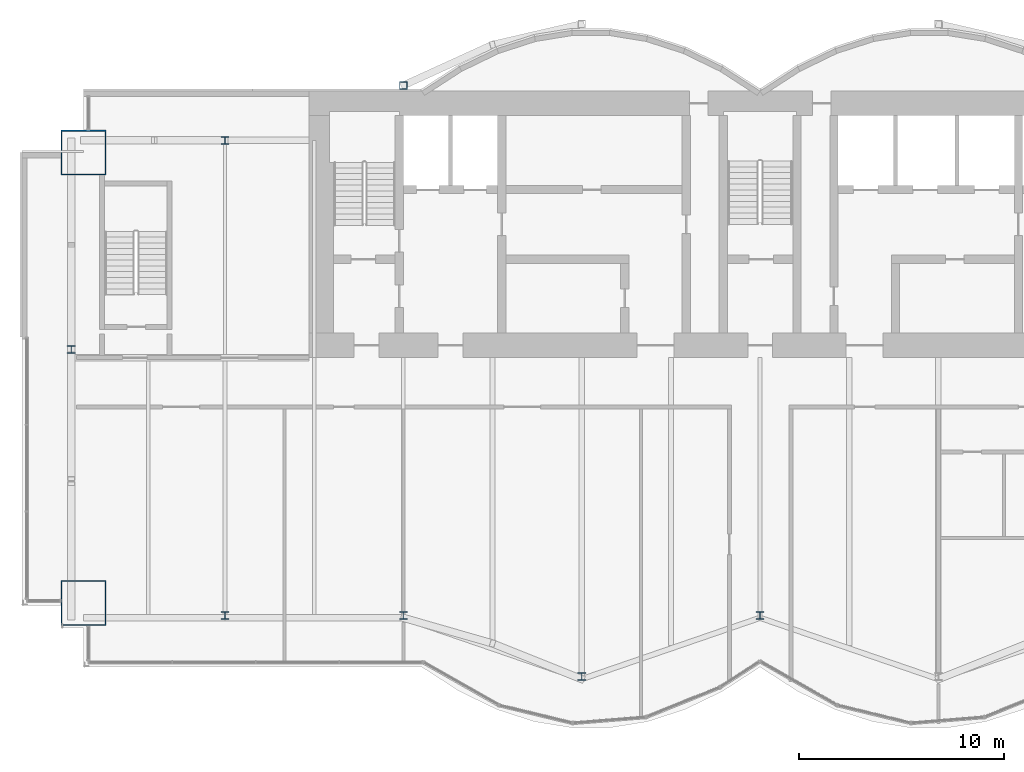
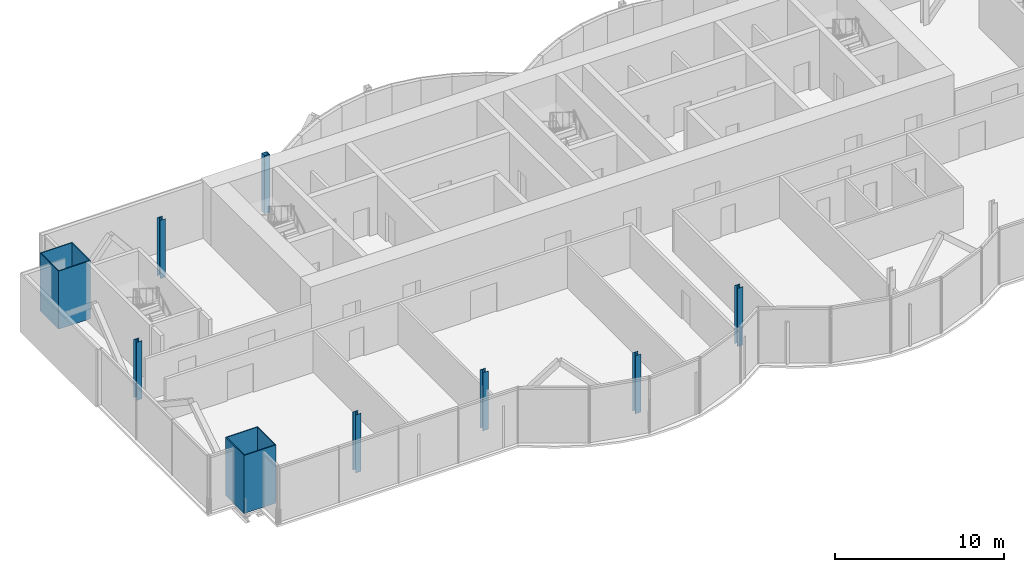
# One storey, part 1 of 19: 9 columns.
"""IFC4 building model written with IfcOpenShell, lengths in metres."""

from ifc_helpers import new_model, si_unit, direction, frame, origin, origin_2d, place, context, subcontext, project, spatial, hollow_rectangle, i_section, extrude, material, material_profile, profile_set, type_object, element, save


model = new_model("IFC4")

# Units and contexts
model_context = context("Model", 3, precision=1e-05, world=origin(), true_north=direction((0.0, 1.0)))
body_context = subcontext(model_context, "Body", "Model", "MODEL_VIEW")
ifc_project = project(units=[si_unit("LENGTHUNIT", "METRE"), si_unit("AREAUNIT", "SQUARE_METRE"), si_unit("VOLUMEUNIT", "CUBIC_METRE"), si_unit("PLANEANGLEUNIT", "RADIAN"), si_unit("MASSUNIT", "GRAM", prefix="KILO")], contexts=[model_context])

# Site, building, storey
site_placement = place(None, origin())
site = spatial("IfcSite", under=ifc_project, at=site_placement, CompositionType="ELEMENT")
building_placement = place(site_placement, origin())
building = spatial("IfcBuilding", under=site, at=building_placement, Name="Bicima Exchange Tower", CompositionType="ELEMENT")
storey_placement = place(building_placement, frame((0.0, 0.0, 279.199951171875)))
storey = spatial("IfcBuildingStorey", under=building, at=storey_placement, Name="L63", CompositionType="ELEMENT", Elevation=279.199951171875)

# Columns
ifc_material_1 = material(Name="Steel ASTM A572 Gr 50", Category="steel")
ifc_material_profile_1 = material_profile(ifc_material_1, hollow_rectangle(XDim=2.199951171875, YDim=2.199951171875, WallThickness=0.06005859375, at=origin_2d()))
ifc_profile_set_1 = profile_set([ifc_material_profile_1], Name="Steel ASTM A572 Gr 50")
column_type_1 = type_object("IfcColumnType", Name="Mega column BOX 2200x2200x60", PredefinedType="COLUMN", material=ifc_profile_set_1)
for number, where, z_axis, x_axis, name in (
    (1, (-33.0, -24.969970703125, 0.0), (0.0, 0.0, 1.0), (1.0, 0.0, 0.0), "Mega column mega-33.0f"),
    (2, (-33.0, -3.0, 0.0), (0.0, 0.0, 1.0), (1.0, 0.0, 0.0), "Mega column mega-33.0r"),
):
    element("IfcColumn", number, at=place(storey_placement, frame(where, z_axis=z_axis, x_axis=x_axis)), inside=storey, type_object=column_type_1, Name=name, PredefinedType="COLUMN", context=body_context, shape_type="SweptSolid", body=[
        extrude(hollow_rectangle(XDim=2.199951171875, YDim=2.199951171875, WallThickness=0.06005859375, at=origin_2d()), origin(), (0.0, 0.0, 1.0), 4.199951171875),
    ])
ifc_material_2 = material(Name="Steel ASTM A992 Gr 50", Category="steel")
ifc_material_profile_2 = material_profile(ifc_material_2, i_section(OverallWidth=0.370849609375, OverallDepth=0.36328125, WebThickness=0.013427734375, FlangeThickness=0.021728515625, at=origin_2d()))
ifc_profile_set_2 = profile_set([ifc_material_profile_2], Name="Steel ASTM A992 Gr 50")
column_type_2 = type_object("IfcColumnType", Name="Perimeter column W14x109", PredefinedType="COLUMN", material=ifc_profile_set_2)
for number, where, z_axis, x_axis, name in (
    (3, (-26.10009765625, -25.570068359375, 0.0), (0.0, 0.0, 1.0), (1.0, 0.0, 0.0), "Perimeter column grav-26.1f"),
    (4, (-26.10009765625, -2.39990234375, 0.0), (0.0, 0.0, 1.0), (1.0, 0.0, 0.0), "Perimeter column grav-26.1r"),
    (5, (-17.39990234375, -25.570068359375, 0.0), (0.0, 0.0, 1.0), (1.0, 0.0, 0.0), "Perimeter column grav-17.4f"),
    (6, (-8.699951171875, -28.56103515625, 0.0), (0.0, 0.0, 1.0), (1.0, 0.0, 0.0), "Perimeter column grav-8.7f"),
    (7, (0.0, -25.570068359375, 0.0), (0.0, 0.0, 1.0), (1.0, 0.0, 0.0), "Perimeter column grav-0.0f"),
    (8, (-33.60009765625, -12.60009765625, 0.0), (0.0, 0.0, 1.0), (1.0, 0.0, 0.0), "End column end-33.6e"),
):
    element("IfcColumn", number, at=place(storey_placement, frame(where, z_axis=z_axis, x_axis=x_axis)), inside=storey, type_object=column_type_2, Name=name, PredefinedType="COLUMN", context=body_context, shape_type="SweptSolid", body=[
        extrude(i_section(OverallWidth=0.370849609375, OverallDepth=0.36328125, WebThickness=0.013427734375, FlangeThickness=0.021728515625, at=origin_2d()), origin(), (0.0, 0.0, 1.0), 4.199951171875),
    ])
ifc_material_profile_3 = material_profile(ifc_material_1, hollow_rectangle(XDim=0.355712890625, YDim=0.355712890625, WallThickness=0.01171875, at=origin_2d()))
ifc_profile_set_3 = profile_set([ifc_material_profile_3], Name="Steel ASTM A572 Gr 50")
column_type_3 = type_object("IfcColumnType", Name="Rear pilaster HSS14x14x1/2", PredefinedType="COLUMN", material=ifc_profile_set_3)
column_placement = place(storey_placement, frame((-17.39990234375, 0.278076171875, 0.0), z_axis=(0.0, 0.0, 1.0), x_axis=(1.0, 0.0, 0.0)))
element("IfcColumn", 9, at=column_placement, inside=storey, type_object=column_type_3, Name="Rear pilaster rexo-17.4r", PredefinedType="COLUMN", context=body_context, shape_type="SweptSolid", body=[
    extrude(hollow_rectangle(XDim=0.355712890625, YDim=0.355712890625, WallThickness=0.01171875, at=origin_2d()), origin(), (0.0, 0.0, 1.0), 4.199951171875),
])

save(model, "model.ifc")
